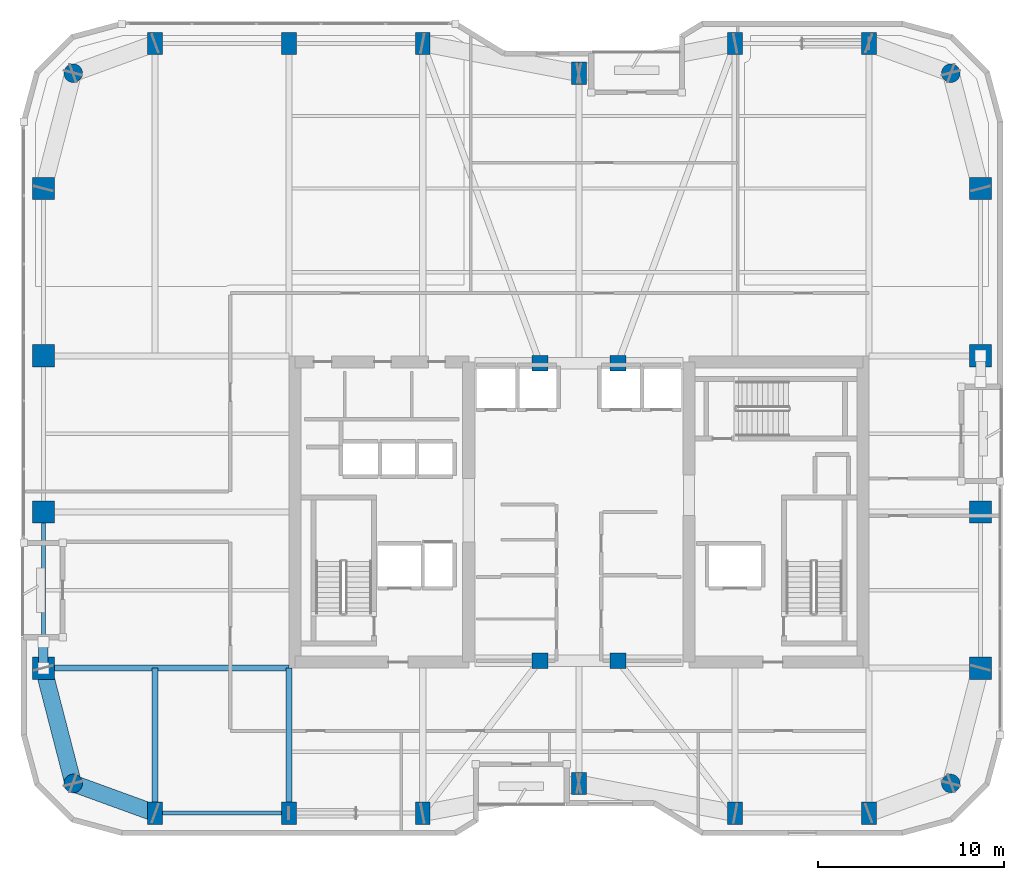
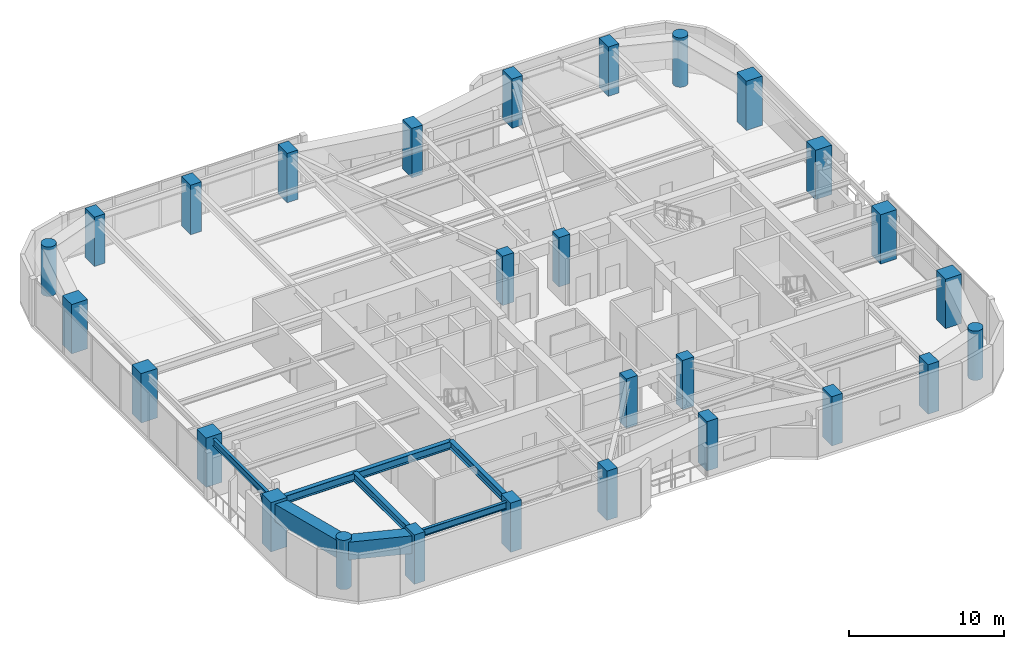
# One storey, part 1 of 30: 28 columns, 7 beams, 1 member.
"""IFC4 building model written with IfcOpenShell, lengths in metres."""

from ifc_helpers import new_model, si_unit, direction, frame, origin, origin_2d, place, context, subcontext, project, spatial, rectangle, hollow_rectangle, circle, hollow_circle, i_section, extrude, material, material_profile, profile_set, type_object, element, save


model = new_model("IFC4")

# Units and contexts
model_context = context("Model", 3, precision=1e-05, world=origin(), true_north=direction((0.0, 1.0)))
body_context = subcontext(model_context, "Body", "Model", "MODEL_VIEW")
ifc_project = project(units=[si_unit("LENGTHUNIT", "METRE"), si_unit("AREAUNIT", "SQUARE_METRE"), si_unit("VOLUMEUNIT", "CUBIC_METRE"), si_unit("PLANEANGLEUNIT", "RADIAN"), si_unit("MASSUNIT", "GRAM", prefix="KILO")], contexts=[model_context])

# Site, building, storey
site_placement = place(None, origin())
site = spatial("IfcSite", under=ifc_project, at=site_placement, CompositionType="ELEMENT")
building_placement = place(site_placement, origin())
building = spatial("IfcBuilding", under=site, at=building_placement, Name="Kiyonajd Concourse Tower", CompositionType="ELEMENT")
storey_placement = place(building_placement, frame((0.0, 0.0, 194.10009765625)))
storey = spatial("IfcBuildingStorey", under=building, at=storey_placement, Name="L49", CompositionType="ELEMENT", Elevation=194.10009765625)

# Columns
ifc_material_1 = material(Name="Concrete C70/85", Category="concrete")
ifc_material_profile_1 = material_profile(ifc_material_1, rectangle(XDim=0.800048828125, YDim=1.199951171875, at=origin_2d()), Name="RC-1200x800")
ifc_profile_set_1 = profile_set([ifc_material_profile_1], Name="Concrete C70/85")
column_type_1 = type_object("IfcColumnType", Name="CL-BLADE-1200", PredefinedType="COLUMN", material=ifc_profile_set_1)
for number, where, z_axis, x_axis, name in (
    (1, (25.199951171875, 19.800048828125, 0.0), (0.0, 0.0, 1.0), (1.0, 0.0, 0.0), "L49 Perimeter Bundled Tube Column"),
    (2, (25.199951171875, 61.199951171875, 0.0), (0.0, 0.0, 1.0), (1.0, 0.0, 0.0), "L49 Perimeter Bundled Tube Column"),
    (3, (32.39990234375, 19.800048828125, 0.0), (0.0, 0.0, 1.0), (1.0, 0.0, 0.0), "L49 Perimeter Bundled Tube Column"),
    (4, (32.39990234375, 61.199951171875, 0.0), (0.0, 0.0, 1.0), (1.0, 0.0, 0.0), "L49 Perimeter Bundled Tube Column"),
    (5, (39.60009765625, 19.800048828125, 0.0), (0.0, 0.0, 1.0), (1.0, 0.0, 0.0), "L49 Perimeter Bundled Tube Column"),
    (6, (39.60009765625, 61.199951171875, 0.0), (0.0, 0.0, 1.0), (1.0, 0.0, 0.0), "L49 Perimeter Bundled Tube Column"),
    (7, (48.0, 21.39990234375, 0.0), (0.0, 0.0, 1.0), (1.0, 0.0, 0.0), "L49 Perimeter Bundled Tube Column"),
    (8, (48.0, 59.60009765625, 0.0), (0.0, 0.0, 1.0), (1.0, 0.0, 0.0), "L49 Perimeter Bundled Tube Column"),
    (9, (56.39990234375, 19.800048828125, 0.0), (0.0, 0.0, 1.0), (1.0, 0.0, 0.0), "L49 Perimeter Bundled Tube Column"),
    (10, (56.39990234375, 61.199951171875, 0.0), (0.0, 0.0, 1.0), (1.0, 0.0, 0.0), "L49 Perimeter Bundled Tube Column"),
    (11, (63.60009765625, 19.800048828125, 0.0), (0.0, 0.0, 1.0), (1.0, 0.0, 0.0), "L49 Perimeter Bundled Tube Column"),
    (12, (63.60009765625, 61.199951171875, 0.0), (0.0, 0.0, 1.0), (1.0, 0.0, 0.0), "L49 Perimeter Bundled Tube Column"),
):
    element("IfcColumn", number, at=place(storey_placement, frame(where, z_axis=z_axis, x_axis=x_axis)), inside=storey, type_object=column_type_1, Name=name, PredefinedType="COLUMN", context=body_context, shape_type="SweptSolid", body=[
        extrude(rectangle(XDim=0.800048828125, YDim=1.199951171875, at=origin_2d()), origin(), (0.0, 0.0, 1.0), 3.89990234375),
    ])
ifc_material_2 = material(Name="Concrete C60/75", Category="concrete")
ifc_material_profile_2 = material_profile(ifc_material_2, circle(Radius=0.5, at=origin_2d()), Name="RCC-D1000")
ifc_profile_set_2 = profile_set([ifc_material_profile_2], Name="Concrete C60/75")
column_type_2 = type_object("IfcColumnType", Name="CL-RND-1000", PredefinedType="COLUMN", material=ifc_profile_set_2)
for number, where, z_axis, x_axis, name in (
    (13, (20.800048828125, 21.39990234375, 0.0), (0.0, 0.0, 1.0), (1.0, 0.0, 0.0), "L49 Bundled Tube Corner Column South West"),
    (14, (68.0, 21.39990234375, 0.0), (0.0, 0.0, 1.0), (1.0, 0.0, 0.0), "L49 Bundled Tube Corner Column South East"),
    (15, (68.0, 59.60009765625, 0.0), (0.0, 0.0, 1.0), (1.0, 0.0, 0.0), "L49 Bundled Tube Corner Column North East"),
    (16, (20.800048828125, 59.60009765625, 0.0), (0.0, 0.0, 1.0), (1.0, 0.0, 0.0), "L49 Bundled Tube Corner Column North West"),
):
    element("IfcColumn", number, at=place(storey_placement, frame(where, z_axis=z_axis, x_axis=x_axis)), inside=storey, type_object=column_type_2, Name=name, PredefinedType="COLUMN", context=body_context, shape_type="SweptSolid", body=[
        extrude(circle(Radius=0.5, at=origin_2d()), origin(), (0.0, 0.0, 1.0), 3.89990234375),
    ])
ifc_material_profile_3 = material_profile(ifc_material_1, rectangle(XDim=1.199951171875, YDim=1.199951171875, at=origin_2d()), Name="RC-1200x1200")
ifc_profile_set_3 = profile_set([ifc_material_profile_3], Name="Concrete C70/85")
column_type_3 = type_object("IfcColumnType", Name="CL-TUBE-1200", PredefinedType="COLUMN", material=ifc_profile_set_3)
for number, where, z_axis, x_axis, name in (
    (17, (19.199951171875, 27.60009765625, 0.0), (0.0, 0.0, 1.0), (1.0, 0.0, 0.0), "L49 Perimeter Bundled Tube Column"),
    (18, (69.60009765625, 27.60009765625, 0.0), (0.0, 0.0, 1.0), (1.0, 0.0, 0.0), "L49 Perimeter Bundled Tube Column"),
    (19, (19.199951171875, 36.0, 0.0), (0.0, 0.0, 1.0), (1.0, 0.0, 0.0), "L49 Perimeter Bundled Tube Column"),
    (20, (69.60009765625, 36.0, 0.0), (0.0, 0.0, 1.0), (1.0, 0.0, 0.0), "L49 Perimeter Bundled Tube Column"),
    (21, (19.199951171875, 44.39990234375, 0.0), (0.0, 0.0, 1.0), (1.0, 0.0, 0.0), "L49 Perimeter Bundled Tube Column"),
    (22, (69.60009765625, 44.39990234375, 0.0), (0.0, 0.0, 1.0), (1.0, 0.0, 0.0), "L49 Perimeter Bundled Tube Column"),
    (23, (19.199951171875, 53.39990234375, 0.0), (0.0, 0.0, 1.0), (1.0, 0.0, 0.0), "L49 Perimeter Bundled Tube Column"),
    (24, (69.60009765625, 53.39990234375, 0.0), (0.0, 0.0, 1.0), (1.0, 0.0, 0.0), "L49 Perimeter Bundled Tube Column"),
):
    element("IfcColumn", number, at=place(storey_placement, frame(where, z_axis=z_axis, x_axis=x_axis)), inside=storey, type_object=column_type_3, Name=name, PredefinedType="COLUMN", context=body_context, shape_type="SweptSolid", body=[
        extrude(rectangle(XDim=1.199951171875, YDim=1.199951171875, at=origin_2d()), origin(), (0.0, 0.0, 1.0), 3.89990234375),
    ])
ifc_material_profile_4 = material_profile(ifc_material_2, rectangle(XDim=0.85009765625, YDim=0.85009765625, at=origin_2d()), Name="RC-850x850")
ifc_profile_set_4 = profile_set([ifc_material_profile_4], Name="Concrete C60/75")
column_type_4 = type_object("IfcColumnType", Name="CL-TUBE-850", PredefinedType="COLUMN", material=ifc_profile_set_4)
for number, where, z_axis, x_axis, name in (
    (25, (45.89990234375, 28.0, 0.0), (0.0, 0.0, 1.0), (1.0, 0.0, 0.0), "L49 Core Tie Column South West"),
    (26, (50.10009765625, 28.0, 0.0), (0.0, 0.0, 1.0), (1.0, 0.0, 0.0), "L49 Core Tie Column South East"),
    (27, (45.89990234375, 44.0, 0.0), (0.0, 0.0, 1.0), (1.0, 0.0, 0.0), "L49 Core Tie Column North West"),
    (28, (50.10009765625, 44.0, 0.0), (0.0, 0.0, 1.0), (1.0, 0.0, 0.0), "L49 Core Tie Column North East"),
):
    element("IfcColumn", number, at=place(storey_placement, frame(where, z_axis=z_axis, x_axis=x_axis)), inside=storey, type_object=column_type_4, Name=name, PredefinedType="COLUMN", context=body_context, shape_type="SweptSolid", body=[
        extrude(rectangle(XDim=0.85009765625, YDim=0.85009765625, at=origin_2d()), origin(), (0.0, 0.0, 1.0), 3.89990234375),
    ])

# Beams
ifc_material_3 = material(Name="Steel ASTM A992 Grade 50", Category="steel")
ifc_material_profile_5 = material_profile(ifc_material_3, i_section(OverallWidth=0.214111328125, OverallDepth=0.549072265625, WebThickness=0.0146484375, FlangeThickness=0.023681640625, at=origin_2d()), Name="W530X138")
ifc_profile_set_5 = profile_set([ifc_material_profile_5], Name="Steel ASTM A992 Grade 50")
beam_type_1 = type_object("IfcBeamType", Name="BM-SPAN-530A", PredefinedType="SPANDREL", material=ifc_profile_set_5)
beam_1_placement = place(storey_placement, frame((25.199951171875, 19.800048828125, 3.405517578125), z_axis=(1.0, 0.0, 0.0), x_axis=(0.0, 1.0, 0.0)))
element("IfcBeam", 29, at=beam_1_placement, inside=storey, type_object=beam_type_1, Name="L49 Perimeter Bundled Tube Spandrel", PredefinedType="SPANDREL", context=body_context, shape_type="SweptSolid", body=[
    extrude(i_section(OverallWidth=0.214111328125, OverallDepth=0.549072265625, WebThickness=0.0146484375, FlangeThickness=0.023681640625, at=origin_2d()), origin(), (0.0, 0.0, 1.0), 7.199951171875),
])
beam_2_placement = place(storey_placement, frame((19.199951171875, 36.0, 3.405517578125), z_axis=(0.0, -1.0, 0.0), x_axis=(1.0, 0.0, 0.0)))
element("IfcBeam", 30, at=beam_2_placement, inside=storey, type_object=beam_type_1, Name="L49 Perimeter Bundled Tube Spandrel", PredefinedType="SPANDREL", context=body_context, shape_type="SweptSolid", body=[
    extrude(i_section(OverallWidth=0.214111328125, OverallDepth=0.549072265625, WebThickness=0.0146484375, FlangeThickness=0.023681640625, at=origin_2d()), origin(), (0.0, 0.0, 1.0), 8.39990234375),
])
ifc_material_profile_6 = material_profile(ifc_material_3, i_section(OverallWidth=0.326904296875, OverallDepth=0.6220703125, WebThickness=0.015380859375, FlangeThickness=0.0244140625, at=origin_2d()), Name="W610X195")
ifc_profile_set_6 = profile_set([ifc_material_profile_6], Name="Steel ASTM A992 Grade 50")
beam_type_2 = type_object("IfcBeamType", Name="BM-TWR-610A", PredefinedType="BEAM", material=ifc_profile_set_6)
for number, where, z_axis, x_axis, name in (
    (31, (25.199951171875, 19.800048828125, 3.368896484375), (0.0, 1.0, 0.0), (-1.0, 0.0, 0.0), "L49 South Lease Girder"),
    (32, (32.39990234375, 19.800048828125, 3.368896484375), (0.0, 1.0, 0.0), (-1.0, 0.0, 0.0), "L49 South Lease Girder"),
):
    element("IfcBeam", number, at=place(storey_placement, frame(where, z_axis=z_axis, x_axis=x_axis)), inside=storey, type_object=beam_type_2, Name=name, PredefinedType="BEAM", context=body_context, shape_type="SweptSolid", body=[
        extrude(i_section(OverallWidth=0.326904296875, OverallDepth=0.6220703125, WebThickness=0.015380859375, FlangeThickness=0.0244140625, at=origin_2d()), origin(), (0.0, 0.0, 1.0), 7.800048828125),
    ])
beam_3_placement = place(storey_placement, frame((19.199951171875, 27.60009765625, 3.368896484375), z_axis=(1.0, 0.0, 0.0), x_axis=(0.0, 1.0, 0.0)))
element("IfcBeam", 33, at=beam_3_placement, inside=storey, type_object=beam_type_2, Name="L49 West Lease Girder", PredefinedType="BEAM", context=body_context, shape_type="SweptSolid", body=[
    extrude(i_section(OverallWidth=0.326904296875, OverallDepth=0.6220703125, WebThickness=0.015380859375, FlangeThickness=0.0244140625, at=origin_2d()), origin(), (0.0, 0.0, 1.0), 13.199951171875),
])
ifc_material_4 = material(Name="Steel ASTM A572 Grade 50", Category="steel")
ifc_material_profile_7 = material_profile(ifc_material_4, hollow_rectangle(XDim=0.89990234375, YDim=1.39990234375, WallThickness=0.070068359375, at=origin_2d()), Name="BOX-1400x900x70")
ifc_profile_set_7 = profile_set([ifc_material_profile_7], Name="Steel ASTM A572 Grade 50")
beam_type_3 = type_object("IfcBeamType", Name="BM-XFER-1400", PredefinedType="BEAM", material=ifc_profile_set_7)
beam_4_placement = place(storey_placement, frame((19.199951171875, 27.60009765625, 2.97998046875), z_axis=(0.249884937687, -0.968275538221, 0.0), x_axis=(0.968275538221, 0.249884937687, 0.0)))
element("IfcBeam", 34, at=beam_4_placement, inside=storey, type_object=beam_type_3, Name="L49 Perimeter Bundled Tube Spandrel", PredefinedType="BEAM", context=body_context, shape_type="SweptSolid", body=[
    extrude(hollow_rectangle(XDim=0.89990234375, YDim=1.39990234375, WallThickness=0.070068359375, at=origin_2d()), origin(), (0.0, 0.0, 1.0), 6.4033203125),
])
beam_5_placement = place(storey_placement, frame((20.800048828125, 21.39990234375, 2.97998046875), z_axis=(0.939801036019, -0.341722127901, 0.0), x_axis=(0.341722127901, 0.939801036019, 0.0)))
element("IfcBeam", 35, at=beam_5_placement, inside=storey, type_object=beam_type_3, Name="L49 Perimeter Bundled Tube Spandrel", PredefinedType="BEAM", context=body_context, shape_type="SweptSolid", body=[
    extrude(hollow_rectangle(XDim=0.89990234375, YDim=1.39990234375, WallThickness=0.070068359375, at=origin_2d()), origin(), (0.0, 0.0, 1.0), 4.681640625),
])

# Member
ifc_material_5 = material(Name="Steel ASTM A500 Grade C", Category="steel")
ifc_material_profile_8 = material_profile(ifc_material_5, hollow_circle(Radius=0.25390625, WallThickness=0.02197265625, at=origin_2d()), Name="CHS-508x22")
ifc_profile_set_8 = profile_set([ifc_material_profile_8], Name="Steel ASTM A500 Grade C")
member_type = type_object("IfcMemberType", Name="MB-PB-MID", PredefinedType="BRACE", material=ifc_profile_set_8)
member_placement = place(storey_placement, frame((19.199951171875, 27.60009765625, 0.2998046875), z_axis=(0.0, 0.419410666774, 0.907796614114), x_axis=(-1.0, 0.0, 0.0)))
element("IfcMember", 36, at=member_placement, inside=storey, type_object=member_type, Name="L49 Upper Zone Hollow Tube Brace PBW", PredefinedType="BRACE", context=body_context, shape_type="SweptSolid", body=[
    extrude(hollow_circle(Radius=0.25390625, WallThickness=0.02197265625, at=origin_2d()), origin(), (0.0, 0.0, 1.0), 3.337890625),
])

save(model, "model.ifc")
